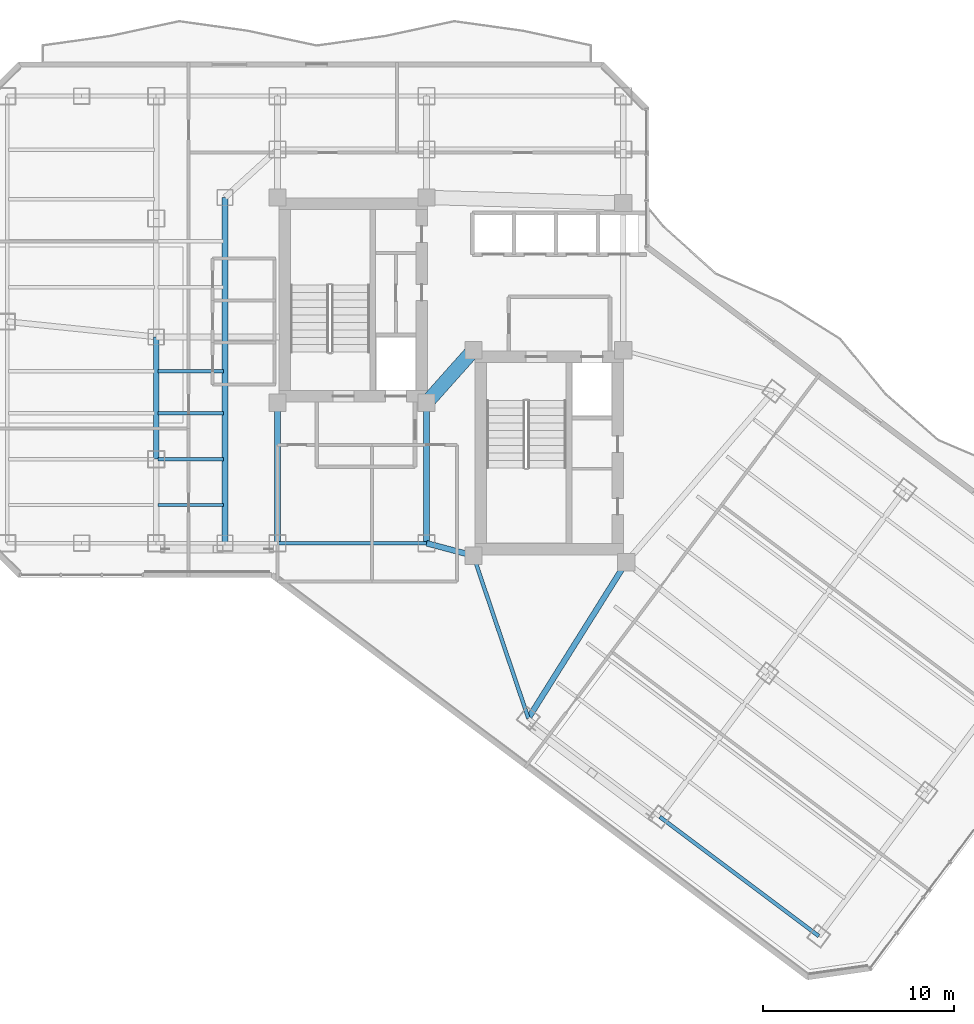
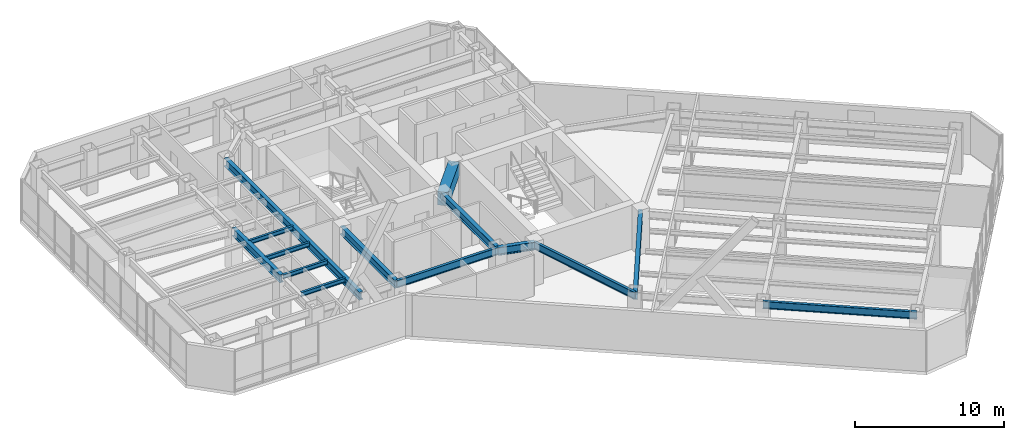
# One storey, part 5 of 29: 14 beams.
"""IFC4 building model written with IfcOpenShell, lengths in metres."""

from ifc_helpers import new_model, si_unit, direction, frame, origin, origin_2d, place, context, subcontext, project, spatial, rectangle, i_section, extrude, material, material_profile, profile_set, type_object, element, save


model = new_model("IFC4")

# Units and contexts
model_context = context("Model", 3, precision=1e-05, world=origin(), true_north=direction((0.0, 1.0)))
body_context = subcontext(model_context, "Body", "Model", "MODEL_VIEW")
ifc_project = project(units=[si_unit("LENGTHUNIT", "METRE"), si_unit("AREAUNIT", "SQUARE_METRE"), si_unit("VOLUMEUNIT", "CUBIC_METRE"), si_unit("PLANEANGLEUNIT", "RADIAN"), si_unit("MASSUNIT", "GRAM", prefix="KILO")], contexts=[model_context])

# Site, building, storey
site_placement = place(None, origin())
site = spatial("IfcSite", under=ifc_project, at=site_placement, CompositionType="ELEMENT")
building_placement = place(site_placement, origin())
building = spatial("IfcBuilding", under=site, at=building_placement, Name="Hatsunagi Terrace Concourse", CompositionType="ELEMENT")
storey_placement = place(building_placement, frame((0.0, 0.0, 108.449951171875)))
storey = spatial("IfcBuildingStorey", under=building, at=storey_placement, Name="L28", CompositionType="ELEMENT", Elevation=108.449951171875)

# Beams
ifc_material_1 = material(Name="Concrete Fc48", Category="concrete")
ifc_material_profile_1 = material_profile(ifc_material_1, rectangle(XDim=0.75, YDim=1.10009765625, at=origin_2d()), Name="RC-750x1100")
ifc_profile_set_1 = profile_set([ifc_material_profile_1], Name="Concrete Fc48")
beam_type_1 = type_object("IfcBeamType", Name="CoreCouplingBeam_RC_750x1100", PredefinedType="BEAM", material=ifc_profile_set_1)
beam_1_placement = place(storey_placement, frame((33.35009765625, 32.550048828125, 2.800048828125), z_axis=(0.665198651008, 0.746666427997, 0.0), x_axis=(-0.746666427997, 0.665198651008, 0.0)))
element("IfcBeam", 1, at=beam_1_placement, inside=storey, type_object=beam_type_1, Name="Beam CB-02 CB-L28-1", PredefinedType="BEAM", context=body_context, shape_type="SweptSolid", body=[
    extrude(rectangle(XDim=0.75, YDim=1.10009765625, at=origin_2d()), origin(), (0.0, 0.0, 1.0), 3.68310546875),
])
ifc_material_2 = material(Name="Steel SN490B", Category="steel")
ifc_material_profile_2 = material_profile(ifc_material_2, i_section(OverallWidth=0.175048828125, OverallDepth=0.35009765625, WebThickness=0.007080078125, FlangeThickness=0.010986328125, FilletRadius=0.012939453125, at=origin_2d()), Name="H-350x175x7x11")
ifc_profile_set_2 = profile_set([ifc_material_profile_2], Name="Steel SN490B")
beam_type_2 = type_object("IfcBeamType", Name="HotelJoist_H_350x175", PredefinedType="JOIST", material=ifc_profile_set_2)
for number, where, z_axis, x_axis, name in (
    (2, (19.284912109375, 27.199951171875, 3.175048828125), (1.0, 0.0, 0.0), (0.0, 1.0, 0.0), "Beam J-02 J-L28-W-19-272"),
    (3, (19.284912109375, 29.60009765625, 3.175048828125), (1.0, 0.0, 0.0), (0.0, 1.0, 0.0), "Beam J-02 J-L28-W-19-296"),
    (4, (19.284912109375, 32.0, 3.175048828125), (1.0, 0.0, 0.0), (0.0, 1.0, 0.0), "Beam J-02 J-L28-W-19-320"),
    (5, (19.284912109375, 34.199951171875, 3.175048828125), (1.0, 0.0, 0.0), (0.0, 1.0, 0.0), "Beam J-02 J-L28-W-19-342"),
):
    element("IfcBeam", number, at=place(storey_placement, frame(where, z_axis=z_axis, x_axis=x_axis)), inside=storey, type_object=beam_type_2, Name=name, PredefinedType="JOIST", context=body_context, shape_type="SweptSolid", body=[
        extrude(i_section(OverallWidth=0.175048828125, OverallDepth=0.35009765625, WebThickness=0.007080078125, FlangeThickness=0.010986328125, FilletRadius=0.012939453125, at=origin_2d()), origin(), (0.0, 0.0, 1.0), 3.43017578125),
    ])
ifc_material_3 = material(Name="Steel SN490B", Category="steel")
ifc_material_profile_3 = material_profile(ifc_material_3, i_section(OverallWidth=0.300048828125, OverallDepth=0.64990234375, WebThickness=0.012939453125, FlangeThickness=0.02197265625, FilletRadius=0.01806640625, at=origin_2d()), Name="H-650x300x13x22")
ifc_profile_set_3 = profile_set([ifc_material_profile_3], Name="Steel SN490B")
beam_type_3 = type_object("IfcBeamType", Name="OfficeLowGirder_H_650x300", PredefinedType="BEAM", material=ifc_profile_set_3)
for number, where, z_axis, x_axis, name in (
    (6, (25.550048828125, 25.199951171875, 3.025146484375), (0.0, 1.0, 0.0), (-1.0, 0.0, 0.0), "Beam G-05 BM-L28-K1CA"),
    (7, (33.35009765625, 25.199951171875, 3.025146484375), (0.0, 1.0, 0.0), (-1.0, 0.0, 0.0), "Beam G-05 BM-L28-K2CA"),
):
    element("IfcBeam", number, at=place(storey_placement, frame(where, z_axis=z_axis, x_axis=x_axis)), inside=storey, type_object=beam_type_3, Name=name, PredefinedType="BEAM", context=body_context, shape_type="SweptSolid", body=[
        extrude(i_section(OverallWidth=0.300048828125, OverallDepth=0.64990234375, WebThickness=0.012939453125, FlangeThickness=0.02197265625, FilletRadius=0.01806640625, at=origin_2d()), origin(), (0.0, 0.0, 1.0), 7.35009765625),
    ])
beam_2_placement = place(storey_placement, frame((33.35009765625, 25.199951171875, 3.025146484375), z_axis=(0.966569840116, -0.256403479262, 0.0), x_axis=(0.256403479262, 0.966569840116, 0.0)))
element("IfcBeam", 8, at=beam_2_placement, inside=storey, type_object=beam_type_3, Name="Beam G-05 BM-L28-K2CB", PredefinedType="BEAM", context=body_context, shape_type="SweptSolid", body=[
    extrude(i_section(OverallWidth=0.300048828125, OverallDepth=0.64990234375, WebThickness=0.012939453125, FlangeThickness=0.02197265625, FilletRadius=0.01806640625, at=origin_2d()), origin(), (0.0, 0.0, 1.0), 2.53466796875),
])
beam_3_placement = place(storey_placement, frame((22.800048828125, 25.199951171875, 3.025146484375), z_axis=(0.0, 1.0, 0.0), x_axis=(-1.0, 0.0, 0.0)))
element("IfcBeam", 9, at=beam_3_placement, inside=storey, type_object=beam_type_3, Name="Beam G-05 BM-L28-CWNS", PredefinedType="BEAM", context=body_context, shape_type="SweptSolid", body=[
    extrude(i_section(OverallWidth=0.300048828125, OverallDepth=0.64990234375, WebThickness=0.012939453125, FlangeThickness=0.02197265625, FilletRadius=0.01806640625, at=origin_2d()), origin(), (0.0, 0.0, 1.0), 18.10009765625),
])
beam_4_placement = place(storey_placement, frame((19.199951171875, 29.60009765625, 3.025146484375), z_axis=(0.0, 1.0, 0.0), x_axis=(-1.0, 0.0, 0.0)))
element("IfcBeam", 10, at=beam_4_placement, inside=storey, type_object=beam_type_3, Name="Beam G-05 BM-L28-NS-19-29", PredefinedType="BEAM", context=body_context, shape_type="SweptSolid", body=[
    extrude(i_section(OverallWidth=0.300048828125, OverallDepth=0.64990234375, WebThickness=0.012939453125, FlangeThickness=0.02197265625, FilletRadius=0.01806640625, at=origin_2d()), origin(), (0.0, 0.0, 1.0), 6.39990234375),
])
beam_5_placement = place(storey_placement, frame((38.679931640625, 16.0400390625, 3.025146484375), z_axis=(0.531503907049, 0.847055840421, 0.0), x_axis=(-0.847055840421, 0.531503907049, 0.0)))
element("IfcBeam", 11, at=beam_5_placement, inside=storey, type_object=beam_type_3, Name="Beam G-05 BM-L28-SET-1A", PredefinedType="BEAM", context=body_context, shape_type="SweptSolid", body=[
    extrude(i_section(OverallWidth=0.300048828125, OverallDepth=0.64990234375, WebThickness=0.012939453125, FlangeThickness=0.02197265625, FilletRadius=0.01806640625, at=origin_2d()), origin(), (0.0, 0.0, 1.0), 9.63330078125),
])
ifc_material_4 = material(Name="Steel SN490B", Category="steel")
ifc_material_profile_4 = material_profile(ifc_material_4, i_section(OverallWidth=0.199951171875, OverallDepth=0.60009765625, WebThickness=0.010986328125, FlangeThickness=0.01708984375, FilletRadius=0.01806640625, at=origin_2d()), Name="H-600x200x11x17")
ifc_profile_set_4 = profile_set([ifc_material_profile_4], Name="Steel SN490B")
beam_type_4 = type_object("IfcBeamType", Name="PerimeterSpandrel_H_600x200", PredefinedType="SPANDREL", material=ifc_profile_set_4)
beam_6_placement = place(storey_placement, frame((25.550048828125, 25.199951171875, 3.050048828125), z_axis=(1.0, 0.0, 0.0), x_axis=(0.0, 1.0, 0.0)))
element("IfcBeam", 12, at=beam_6_placement, inside=storey, type_object=beam_type_4, Name="Beam SP-01 BM-L28-WS-25", PredefinedType="SPANDREL", context=body_context, shape_type="SweptSolid", body=[
    extrude(i_section(OverallWidth=0.199951171875, OverallDepth=0.60009765625, WebThickness=0.010986328125, FlangeThickness=0.01708984375, FilletRadius=0.01806640625, at=origin_2d()), origin(), (0.0, 0.0, 1.0), 7.800048828125),
])
beam_7_placement = place(storey_placement, frame((35.800048828125, 24.550048828125, 3.050048828125), z_axis=(0.320553412271, -0.947230441805, 0.0), x_axis=(0.947230441805, 0.320553412271, 0.0)))
element("IfcBeam", 13, at=beam_7_placement, inside=storey, type_object=beam_type_4, Name="Beam SP-01 BM-L28-SE-SW0", PredefinedType="SPANDREL", context=body_context, shape_type="SweptSolid", body=[
    extrude(i_section(OverallWidth=0.199951171875, OverallDepth=0.60009765625, WebThickness=0.010986328125, FlangeThickness=0.01708984375, FilletRadius=0.01806640625, at=origin_2d()), origin(), (0.0, 0.0, 1.0), 8.984130859375),
])
beam_8_placement = place(storey_placement, frame((45.56005859375, 10.8798828125, 3.050048828125), z_axis=(0.799994365871, -0.600007512099, 0.0), x_axis=(0.600007512099, 0.799994365871, 0.0)))
element("IfcBeam", 14, at=beam_8_placement, inside=storey, type_object=beam_type_4, Name="Beam SP-01 BM-L28-SE-SW3", PredefinedType="SPANDREL", context=body_context, shape_type="SweptSolid", body=[
    extrude(i_section(OverallWidth=0.199951171875, OverallDepth=0.60009765625, WebThickness=0.010986328125, FlangeThickness=0.01708984375, FilletRadius=0.01806640625, at=origin_2d()), origin(), (0.0, 0.0, 1.0), 10.39990234375),
])

save(model, "model.ifc")
